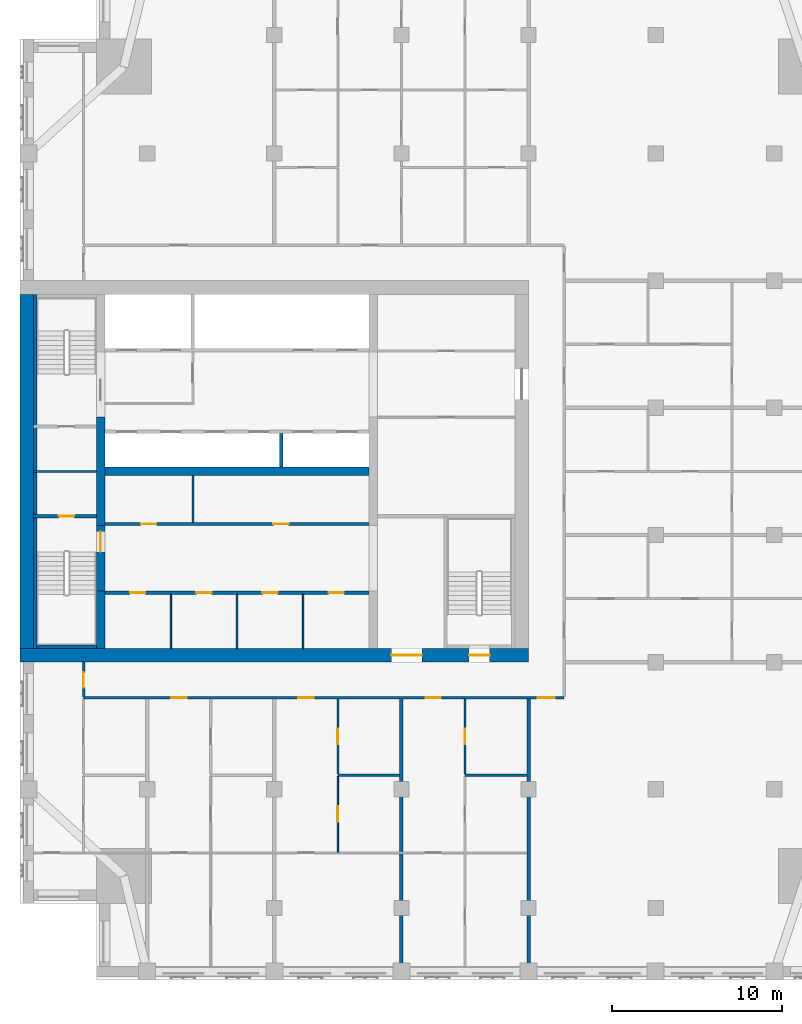
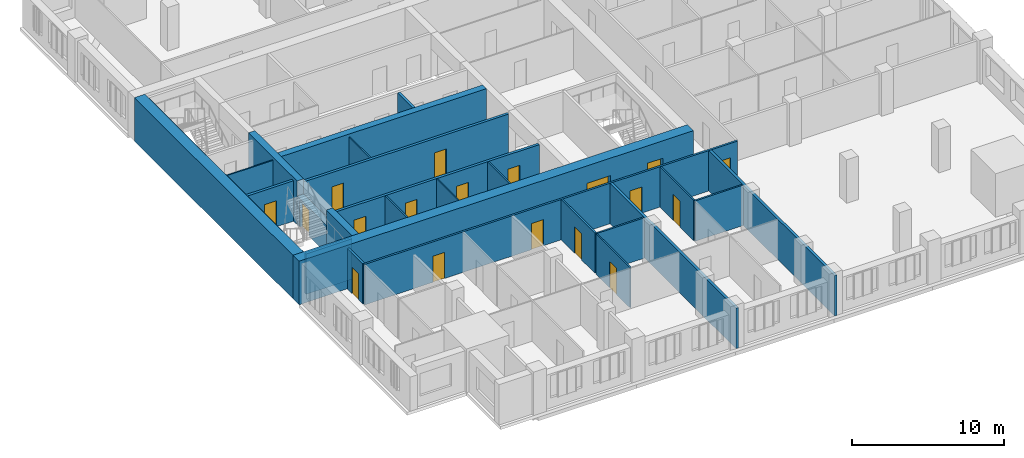
# One storey, part 7 of 14: 26 walls, 18 doors, 18 openings.
"""IFC4 building model written with IfcOpenShell, lengths in metres."""

from ifc_helpers import new_model, si_unit, direction, frame, frame_2d, origin, place, context, subcontext, project, spatial, rectangle, extrude, material, layer, layer_set, type_object, element, fill, save


model = new_model("IFC4")

# Units and contexts
model_context = context("Model", 3, precision=1e-05, world=origin(), true_north=direction((0.0, 1.0)))
body_context = subcontext(model_context, "Body", "Model", "MODEL_VIEW")
ifc_project = project(units=[si_unit("LENGTHUNIT", "METRE"), si_unit("AREAUNIT", "SQUARE_METRE"), si_unit("VOLUMEUNIT", "CUBIC_METRE"), si_unit("PLANEANGLEUNIT", "RADIAN"), si_unit("MASSUNIT", "GRAM", prefix="KILO")], contexts=[model_context])

# Site, building, storey
site_placement = place(None, origin())
site = spatial("IfcSite", under=ifc_project, at=site_placement, CompositionType="ELEMENT")
building_placement = place(site_placement, origin())
building = spatial("IfcBuilding", under=site, at=building_placement, Name="Tamorin Gate", CompositionType="ELEMENT")
storey_placement = place(building_placement, frame((0.0, 0.0, 200.199951171875)))
storey = spatial("IfcBuildingStorey", under=building, at=storey_placement, Name="L49", CompositionType="ELEMENT", Elevation=200.199951171875)

# Wall, openings, doors
ifc_material_1 = material(Name="Gypsum board partition")
ifc_layer_1 = layer(ifc_material_1, 0.14990234375)
ifc_layer_set_1 = layer_set([ifc_layer_1], Name="Corridor wall 150")
wall_type_1 = type_object("IfcWallType", Name="Corridor wall 150", PredefinedType="PARTITIONING", material=ifc_layer_set_1)
wall_1_placement = place(storey_placement, frame((33.75, 57.89990234375, 0.0), z_axis=(0.0, 0.0, 1.0), x_axis=(1.0, 0.0, 0.0)))
wall_1 = element("IfcWall", 1, at=wall_1_placement, inside=storey, type_object=wall_type_1, Name="Corridor wall 150", PredefinedType="PARTITIONING", context=body_context, shape_type="SweptSolid", body=[
    extrude(rectangle(XDim=28.35009765625, YDim=0.14990234375, at=frame_2d((14.175048828125, 0.0))), origin(), (0.0, 0.0, 1.0), 3.25),
])
opening_1_placement = place(wall_1_placement, frame((5.175048828125, 0.0, 0.0)))
opening_1 = element("IfcOpeningElement", 2, at=opening_1_placement, cuts=wall_1, Name="Opening DR3005", PredefinedType="OPENING", context=body_context, shape_type="SweptSolid", body=[
    extrude(rectangle(XDim=0.89990234375, YDim=2.10009765625, at=frame_2d((0.449951171875, 1.050048828125))), frame((0.0, 0.0849609375, 0.0), z_axis=(0.0, -1.0, 0.0), x_axis=(1.0, 0.0, 0.0)), (0.0, 0.0, 1.0), 0.169921875),
])
opening_2_placement = place(wall_1_placement, frame((12.675048828125, 0.0, 0.0)))
opening_2 = element("IfcOpeningElement", 3, at=opening_2_placement, cuts=wall_1, Name="Opening DR3010", PredefinedType="OPENING", context=body_context, shape_type="SweptSolid", body=[
    extrude(rectangle(XDim=0.89990234375, YDim=2.10009765625, at=frame_2d((0.449951171875, 1.050048828125))), frame((0.0, 0.0849609375, 0.0), z_axis=(0.0, -1.0, 0.0), x_axis=(1.0, 0.0, 0.0)), (0.0, 0.0, 1.0), 0.169921875),
])
opening_3_placement = place(wall_1_placement, frame((20.175048828125, 0.0, 0.0)))
opening_3 = element("IfcOpeningElement", 4, at=opening_3_placement, cuts=wall_1, Name="Opening DR3014", PredefinedType="OPENING", context=body_context, shape_type="SweptSolid", body=[
    extrude(rectangle(XDim=0.89990234375, YDim=2.10009765625, at=frame_2d((0.449951171875, 1.050048828125))), frame((0.0, 0.0849609375, 0.0), z_axis=(0.0, -1.0, 0.0), x_axis=(1.0, 0.0, 0.0)), (0.0, 0.0, 1.0), 0.169921875),
])
opening_4_placement = place(wall_1_placement, frame((26.800048828125, 0.0, 0.0)))
opening_4 = element("IfcOpeningElement", 5, at=opening_4_placement, cuts=wall_1, Name="Opening DR3019", PredefinedType="OPENING", context=body_context, shape_type="SweptSolid", body=[
    extrude(rectangle(XDim=1.0, YDim=2.10009765625, at=frame_2d((0.5, 1.050048828125))), frame((0.0, 0.0849609375, 0.0), z_axis=(0.0, -1.0, 0.0), x_axis=(1.0, 0.0, 0.0)), (0.0, 0.0, 1.0), 0.169921875),
])
ifc_material_2 = material(Name="Timber door leaf", Category="wood")
door_type_1 = type_object("IfcDoorType", Name="Door 1000 x 2100 FD30S", OperationType="NOTDEFINED", PredefinedType="DOOR", material=ifc_material_2)
door_1_placement = place(opening_4_placement, origin())
door_1 = element("IfcDoor", 6, at=door_1_placement, inside=storey, type_object=door_type_1, Name="Door DR3019", OperationType="SINGLE_SWING_RIGHT", OverallHeight=2.10009765625, OverallWidth=1.0, PredefinedType="DOOR", context=body_context, shape_type="SweptSolid", body=[
    extrude(rectangle(XDim=1.0, YDim=2.10009765625, at=frame_2d((0.5, 1.050048828125))), frame((0.0, 0.02490234375, 0.0), z_axis=(0.0, -1.0, 0.0), x_axis=(1.0, 0.0, 0.0)), (0.0, 0.0, 1.0), 0.050048828125),
])
fill(opening_4, door_1)
door_type_2 = type_object("IfcDoorType", Name="Door 900 x 2100 FD30S", OperationType="NOTDEFINED", PredefinedType="DOOR", material=ifc_material_2)
door_2_placement = place(opening_1_placement, origin())
door_2 = element("IfcDoor", 7, at=door_2_placement, inside=storey, type_object=door_type_2, Name="Door DR3005", OperationType="SINGLE_SWING_RIGHT", OverallHeight=2.10009765625, OverallWidth=0.89990234375, PredefinedType="DOOR", context=body_context, shape_type="SweptSolid", body=[
    extrude(rectangle(XDim=0.89990234375, YDim=2.10009765625, at=frame_2d((0.449951171875, 1.050048828125))), frame((0.0, 0.02490234375, 0.0), z_axis=(0.0, -1.0, 0.0), x_axis=(1.0, 0.0, 0.0)), (0.0, 0.0, 1.0), 0.050048828125),
])
fill(opening_1, door_2)
door_3_placement = place(opening_2_placement, origin())
door_3 = element("IfcDoor", 8, at=door_3_placement, inside=storey, type_object=door_type_2, Name="Door DR3010", OperationType="SINGLE_SWING_RIGHT", OverallHeight=2.10009765625, OverallWidth=0.89990234375, PredefinedType="DOOR", context=body_context, shape_type="SweptSolid", body=[
    extrude(rectangle(XDim=0.89990234375, YDim=2.10009765625, at=frame_2d((0.449951171875, 1.050048828125))), frame((0.0, 0.02490234375, 0.0), z_axis=(0.0, -1.0, 0.0), x_axis=(1.0, 0.0, 0.0)), (0.0, 0.0, 1.0), 0.050048828125),
])
fill(opening_2, door_3)
door_4_placement = place(opening_3_placement, origin())
door_4 = element("IfcDoor", 9, at=door_4_placement, inside=storey, type_object=door_type_2, Name="Door DR3014", OperationType="SINGLE_SWING_RIGHT", OverallHeight=2.10009765625, OverallWidth=0.89990234375, PredefinedType="DOOR", context=body_context, shape_type="SweptSolid", body=[
    extrude(rectangle(XDim=0.89990234375, YDim=2.10009765625, at=frame_2d((0.449951171875, 1.050048828125))), frame((0.0, 0.02490234375, 0.0), z_axis=(0.0, -1.0, 0.0), x_axis=(1.0, 0.0, 0.0)), (0.0, 0.0, 1.0), 0.050048828125),
])
fill(opening_3, door_4)

# Wall, opening, door
wall_2_placement = place(storey_placement, frame((33.75, 57.97509765625, 0.0), z_axis=(0.0, 0.0, 1.0), x_axis=(0.0, 1.0, 0.0)))
wall_2 = element("IfcWall", 10, at=wall_2_placement, inside=storey, type_object=wall_type_1, Name="Corridor wall 150", PredefinedType="PARTITIONING", context=body_context, shape_type="SweptSolid", body=[
    extrude(rectangle(XDim=2.02490234375, YDim=0.14990234375, at=frame_2d((1.012451171875, 0.0))), origin(), (0.0, 0.0, 1.0), 3.25),
])
opening_5_placement = place(wall_2_placement, frame((0.52490234375, 0.0, 0.0)))
opening_5 = element("IfcOpeningElement", 11, at=opening_5_placement, cuts=wall_2, Name="Opening DR3001", PredefinedType="OPENING", context=body_context, shape_type="SweptSolid", body=[
    extrude(rectangle(XDim=0.89990234375, YDim=2.10009765625, at=frame_2d((0.449951171875, 1.050048828125))), frame((0.0, 0.0849609375, 0.0), z_axis=(0.0, -1.0, 0.0), x_axis=(1.0, 0.0, 0.0)), (0.0, 0.0, 1.0), 0.169921875),
])
door_5_placement = place(opening_5_placement, origin())
door_5 = element("IfcDoor", 12, at=door_5_placement, inside=storey, type_object=door_type_2, Name="Door DR3001", OperationType="SINGLE_SWING_LEFT", OverallHeight=2.10009765625, OverallWidth=0.89990234375, PredefinedType="DOOR", context=body_context, shape_type="SweptSolid", body=[
    extrude(rectangle(XDim=0.89990234375, YDim=2.10009765625, at=frame_2d((0.449951171875, 1.050048828125))), frame((0.0, 0.02490234375, 0.0), z_axis=(0.0, -1.0, 0.0), x_axis=(1.0, 0.0, 0.0)), (0.0, 0.0, 1.0), 0.050048828125),
])
fill(opening_5, door_5)

# Walls
ifc_layer_2 = layer(ifc_material_1, 0.199951171875)
ifc_layer_set_2 = layer_set([ifc_layer_2], Name="Demising wall 200")
wall_type_2 = type_object("IfcWallType", Name="Demising wall 200", PredefinedType="PARTITIONING", material=ifc_layer_set_2)
for number, where, z_axis, x_axis, name in (
    (13, (52.5, 41.25, 0.0), (0.0, 0.0, 1.0), (0.0, 1.0, 0.0), "Demising wall 200"),
    (14, (60.0, 41.25, 0.0), (0.0, 0.0, 1.0), (0.0, 1.0, 0.0), "Demising wall 200"),
):
    element("IfcWall", number, at=place(storey_placement, frame(where, z_axis=z_axis, x_axis=x_axis)), inside=storey, type_object=wall_type_2, Name=name, PredefinedType="PARTITIONING", context=body_context, shape_type="SweptSolid", body=[
        extrude(rectangle(XDim=16.574951171875, YDim=0.199951171875, at=frame_2d((8.28759765625, 0.0))), origin(), (0.0, 0.0, 1.0), 3.25),
    ])
ifc_material_3 = material(Name="Concrete C32/40", Category="concrete")
ifc_layer_3 = layer(ifc_material_3, 0.199951171875)
ifc_layer_set_3 = layer_set([ifc_layer_3], Name="Lift shaft wall 200 EI 120")
wall_type_3 = type_object("IfcWallType", Name="Lift shaft wall 200 EI 120", PredefinedType="SOLIDWALL", material=ifc_layer_set_3)
wall_3_placement = place(storey_placement, frame((45.39990234375, 71.5, 0.0), z_axis=(0.0, 0.0, 1.0), x_axis=(0.0, 1.0, 0.0)))
element("IfcWall", 15, at=wall_3_placement, inside=storey, type_object=wall_type_3, Name="Lift shaft wall", PredefinedType="SOLIDWALL", context=body_context, shape_type="SweptSolid", body=[
    extrude(rectangle(XDim=2.0, YDim=0.199951171875, at=frame_2d((1.0, 0.0))), origin(), (0.0, 0.0, 1.0), 3.5),
])
ifc_material_4 = material(Name="Concrete C60/75", Category="concrete")
ifc_layer_4 = layer(ifc_material_4, 0.5)
ifc_layer_set_4 = layer_set([ifc_layer_4], Name="RC core internal wall 500 C60/75")
wall_type_4 = type_object("IfcWallType", Name="RC core internal wall 500 C60/75", PredefinedType="SHEAR", material=ifc_layer_set_4)
wall_4_placement = place(storey_placement, frame((35.0, 71.25, 0.0), z_axis=(0.0, 0.0, 1.0), x_axis=(1.0, 0.0, 0.0)))
element("IfcWall", 16, at=wall_4_placement, inside=storey, type_object=wall_type_4, Name="Core spine wall L49", PredefinedType="SHEAR", context=body_context, shape_type="SweptSolid", body=[
    extrude(rectangle(XDim=15.60009765625, YDim=0.5, at=frame_2d((7.800048828125, 0.0))), origin(), (0.0, 0.0, 1.0), 3.5),
])
wall_5_placement = place(storey_placement, frame((34.75, 60.800048828125, 0.0), z_axis=(0.0, 0.0, 1.0), x_axis=(0.0, 1.0, 0.0)))
element("IfcWall", 17, at=wall_5_placement, inside=storey, type_object=wall_type_4, Name="Core cross wall L49", PredefinedType="SHEAR", context=body_context, shape_type="SweptSolid", body=[
    extrude(rectangle(XDim=3.39990234375, YDim=0.5, at=frame_2d((1.699951171875, 0.0))), origin(), (0.0, 0.0, 1.0), 3.5),
])
wall_6_placement = place(storey_placement, frame((34.75, 68.050048828125, 0.0), z_axis=(0.0, 0.0, 1.0), x_axis=(0.0, 1.0, 0.0)))
element("IfcWall", 18, at=wall_6_placement, inside=storey, type_object=wall_type_4, Name="Core cross wall L49", PredefinedType="SHEAR", context=body_context, shape_type="SweptSolid", body=[
    extrude(rectangle(XDim=6.39990234375, YDim=0.5, at=frame_2d((3.199951171875, 0.0))), origin(), (0.0, 0.0, 1.0), 3.5),
])

# Wall, openings, doors
ifc_layer_5 = layer(ifc_material_4, 0.800048828125)
ifc_layer_set_5 = layer_set([ifc_layer_5], Name="RC core wall 800 C60/75")
wall_type_5 = type_object("IfcWallType", Name="RC core wall 800 C60/75", PredefinedType="SHEAR", material=ifc_layer_set_5)
wall_7_placement = place(storey_placement, frame((30.0, 60.39990234375, 0.0), z_axis=(0.0, 0.0, 1.0), x_axis=(1.0, 0.0, 0.0)))
wall_7 = element("IfcWall", 19, at=wall_7_placement, inside=storey, type_object=wall_type_5, Name="Core wall L49", PredefinedType="SHEAR", context=body_context, shape_type="SweptSolid", body=[
    extrude(rectangle(XDim=30.0, YDim=0.800048828125, at=frame_2d((15.0, 0.0))), origin(), (0.0, 0.0, 1.0), 3.5),
])
opening_6_placement = place(wall_7_placement, frame((21.89990234375, 0.0, 0.0)))
opening_6 = element("IfcOpeningElement", 20, at=opening_6_placement, cuts=wall_7, Name="Opening DE1", PredefinedType="OPENING", context=body_context, shape_type="SweptSolid", body=[
    extrude(rectangle(XDim=1.800048828125, YDim=2.10009765625, at=frame_2d((0.89990234375, 1.050048828125))), frame((0.0, 0.409912109375, 0.0), z_axis=(0.0, -1.0, 0.0), x_axis=(1.0, 0.0, 0.0)), (0.0, 0.0, 1.0), 0.820068359375),
])
opening_7_placement = place(wall_7_placement, frame((26.5, 0.0, 0.0)))
opening_7 = element("IfcOpeningElement", 21, at=opening_7_placement, cuts=wall_7, Name="Opening DS1", PredefinedType="OPENING", context=body_context, shape_type="SweptSolid", body=[
    extrude(rectangle(XDim=1.199951171875, YDim=2.10009765625, at=frame_2d((0.60009765625, 1.050048828125))), frame((0.0, 0.409912109375, 0.0), z_axis=(0.0, -1.0, 0.0), x_axis=(1.0, 0.0, 0.0)), (0.0, 0.0, 1.0), 0.820068359375),
])
ifc_material_5 = material(Name="Steel fire door", Category="steel")
door_type_3 = type_object("IfcDoorType", Name="Lobby exit double door 1800 x 2100 EI 60", OperationType="DOUBLE_DOOR_SINGLE_SWING", PredefinedType="DOOR", material=ifc_material_5)
door_6_placement = place(opening_6_placement, origin())
door_6 = element("IfcDoor", 22, at=door_6_placement, inside=storey, type_object=door_type_3, Name="Lift lobby A exit door", OperationType="DOUBLE_DOOR_SINGLE_SWING", OverallHeight=2.10009765625, OverallWidth=1.800048828125, PredefinedType="DOOR", context=body_context, shape_type="SweptSolid", body=[
    extrude(rectangle(XDim=1.800048828125, YDim=2.10009765625, at=frame_2d((0.89990234375, 1.050048828125))), frame((0.0, 0.02490234375, 0.0), z_axis=(0.0, -1.0, 0.0), x_axis=(1.0, 0.0, 0.0)), (0.0, 0.0, 1.0), 0.050048828125),
])
fill(opening_6, door_6)
door_type_4 = type_object("IfcDoorType", Name="Stair door 1200 x 2100 EI 90", OperationType="SINGLE_SWING_LEFT", PredefinedType="DOOR", material=ifc_material_5)
door_7_placement = place(opening_7_placement, origin())
door_7 = element("IfcDoor", 23, at=door_7_placement, inside=storey, type_object=door_type_4, Name="ST3 door", OperationType="SINGLE_SWING_LEFT", OverallHeight=2.10009765625, OverallWidth=1.199951171875, PredefinedType="DOOR", context=body_context, shape_type="SweptSolid", body=[
    extrude(rectangle(XDim=1.199951171875, YDim=2.10009765625, at=frame_2d((0.60009765625, 1.050048828125))), frame((0.0, 0.02490234375, 0.0), z_axis=(0.0, -1.0, 0.0), x_axis=(1.0, 0.0, 0.0)), (0.0, 0.0, 1.0), 0.050048828125),
])
fill(opening_7, door_7)

# Walls
wall_8_placement = place(storey_placement, frame((30.39990234375, 60.800048828125, 0.0), z_axis=(0.0, 0.0, 1.0), x_axis=(0.0, 1.0, 0.0)))
element("IfcWall", 24, at=wall_8_placement, inside=storey, type_object=wall_type_5, Name="Core wall L49", PredefinedType="SHEAR", context=body_context, shape_type="SweptSolid", body=[
    extrude(rectangle(XDim=20.89990234375, YDim=0.800048828125, at=frame_2d((10.449951171875, 0.0))), origin(), (0.0, 0.0, 1.0), 3.5),
])
ifc_material_6 = material(Name="Fire-rated gypsum board partition")
ifc_layer_6 = layer(ifc_material_6, 0.10009765625)
ifc_layer_set_6 = layer_set([ifc_layer_6], Name="Riser partition 100 EI 120")
wall_type_6 = type_object("IfcWallType", Name="Riser partition 100 EI 120", PredefinedType="PARTITIONING", material=ifc_layer_set_6)
wall_9_placement = place(storey_placement, frame((30.800048828125, 71.25, 0.0), z_axis=(0.0, 0.0, 1.0), x_axis=(1.0, 0.0, 0.0)))
element("IfcWall", 25, at=wall_9_placement, inside=storey, type_object=wall_type_6, Name="Riser partition", PredefinedType="PARTITIONING", context=body_context, shape_type="SweptSolid", body=[
    extrude(rectangle(XDim=3.699951171875, YDim=0.10009765625, at=frame_2d((1.85009765625, 0.0))), origin(), (0.0, 0.0, 1.0), 3.25),
])

# Wall, opening, door
ifc_layer_7 = layer(ifc_material_1, 0.10009765625)
ifc_layer_set_7 = layer_set([ifc_layer_7], Name="Room partition 100")
wall_type_7 = type_object("IfcWallType", Name="Room partition 100", PredefinedType="PARTITIONING", material=ifc_layer_set_7)
wall_10_placement = place(storey_placement, frame((48.75, 48.800048828125, 0.0), z_axis=(0.0, 0.0, 1.0), x_axis=(0.0, 1.0, 0.0)))
wall_10 = element("IfcWall", 26, at=wall_10_placement, inside=storey, type_object=wall_type_7, Name="Room partition 100", PredefinedType="PARTITIONING", context=body_context, shape_type="SweptSolid", body=[
    extrude(rectangle(XDim=4.46240234375, YDim=0.10009765625, at=frame_2d((2.231201171875, 0.0))), origin(), (0.0, 0.0, 1.0), 3.25),
])
opening_8_placement = place(wall_10_placement, frame((1.78759765625, 0.0, 0.0)))
opening_8 = element("IfcOpeningElement", 27, at=opening_8_placement, cuts=wall_10, Name="Opening DR3012", PredefinedType="OPENING", context=body_context, shape_type="SweptSolid", body=[
    extrude(rectangle(XDim=0.89990234375, YDim=2.10009765625, at=frame_2d((0.449951171875, 1.050048828125))), frame((0.0, 0.06005859375, 0.0), z_axis=(0.0, -1.0, 0.0), x_axis=(1.0, 0.0, 0.0)), (0.0, 0.0, 1.0), 0.1201171875),
])
door_type_5 = type_object("IfcDoorType", Name="Door 900 x 2100", OperationType="NOTDEFINED", PredefinedType="DOOR", material=ifc_material_2)
door_8_placement = place(opening_8_placement, origin())
door_8 = element("IfcDoor", 28, at=door_8_placement, inside=storey, type_object=door_type_5, Name="Door DR3012", OperationType="SINGLE_SWING_RIGHT", OverallHeight=2.10009765625, OverallWidth=0.89990234375, PredefinedType="DOOR", context=body_context, shape_type="SweptSolid", body=[
    extrude(rectangle(XDim=0.89990234375, YDim=2.10009765625, at=frame_2d((0.449951171875, 1.050048828125))), frame((0.0, 0.02490234375, 0.0), z_axis=(0.0, -1.0, 0.0), x_axis=(1.0, 0.0, 0.0)), (0.0, 0.0, 1.0), 0.050048828125),
])
fill(opening_8, door_8)

# Wall, openings, doors
ifc_layer_8 = layer(ifc_material_1, 0.199951171875)
ifc_layer_set_8 = layer_set([ifc_layer_8], Name="Service room face wall 200 EI 60")
wall_type_8 = type_object("IfcWallType", Name="Service room face wall 200 EI 60", PredefinedType="PARTITIONING", material=ifc_layer_set_8)
wall_11_placement = place(storey_placement, frame((35.0, 64.10009765625, 0.0), z_axis=(0.0, 0.0, 1.0), x_axis=(1.0, 0.0, 0.0)))
wall_11 = element("IfcWall", 29, at=wall_11_placement, inside=storey, type_object=wall_type_8, Name="Service room face wall", PredefinedType="PARTITIONING", context=body_context, shape_type="SweptSolid", body=[
    extrude(rectangle(XDim=15.60009765625, YDim=0.199951171875, at=frame_2d((7.800048828125, 0.0))), origin(), (0.0, 0.0, 1.0), 3.25),
])
opening_9_placement = place(wall_11_placement, frame((1.5, 0.0, 0.0)))
opening_9 = element("IfcOpeningElement", 30, at=opening_9_placement, cuts=wall_11, Name="Opening DK1", PredefinedType="OPENING", context=body_context, shape_type="SweptSolid", body=[
    extrude(rectangle(XDim=0.89990234375, YDim=2.10009765625, at=frame_2d((0.449951171875, 1.050048828125))), frame((0.0, 0.10986328125, 0.0), z_axis=(0.0, -1.0, 0.0), x_axis=(1.0, 0.0, 0.0)), (0.0, 0.0, 1.0), 0.219970703125),
])
opening_10_placement = place(wall_11_placement, frame((5.39990234375, 0.0, 0.0)))
opening_10 = element("IfcOpeningElement", 31, at=opening_10_placement, cuts=wall_11, Name="Opening DK1", PredefinedType="OPENING", context=body_context, shape_type="SweptSolid", body=[
    extrude(rectangle(XDim=0.89990234375, YDim=2.10009765625, at=frame_2d((0.449951171875, 1.050048828125))), frame((0.0, 0.10986328125, 0.0), z_axis=(0.0, -1.0, 0.0), x_axis=(1.0, 0.0, 0.0)), (0.0, 0.0, 1.0), 0.219970703125),
])
opening_11_placement = place(wall_11_placement, frame((9.300048828125, 0.0, 0.0)))
opening_11 = element("IfcOpeningElement", 32, at=opening_11_placement, cuts=wall_11, Name="Opening DK1", PredefinedType="OPENING", context=body_context, shape_type="SweptSolid", body=[
    extrude(rectangle(XDim=0.89990234375, YDim=2.10009765625, at=frame_2d((0.449951171875, 1.050048828125))), frame((0.0, 0.10986328125, 0.0), z_axis=(0.0, -1.0, 0.0), x_axis=(1.0, 0.0, 0.0)), (0.0, 0.0, 1.0), 0.219970703125),
])
opening_12_placement = place(wall_11_placement, frame((13.199951171875, 0.0, 0.0)))
opening_12 = element("IfcOpeningElement", 33, at=opening_12_placement, cuts=wall_11, Name="Opening DK1", PredefinedType="OPENING", context=body_context, shape_type="SweptSolid", body=[
    extrude(rectangle(XDim=0.89990234375, YDim=2.10009765625, at=frame_2d((0.449951171875, 1.050048828125))), frame((0.0, 0.10986328125, 0.0), z_axis=(0.0, -1.0, 0.0), x_axis=(1.0, 0.0, 0.0)), (0.0, 0.0, 1.0), 0.219970703125),
])
ifc_material_7 = material(Name="Timber fire door", Category="wood")
door_type_6 = type_object("IfcDoorType", Name="Service room door 900 x 2100 EI 60", OperationType="SINGLE_SWING_LEFT", PredefinedType="DOOR", material=ifc_material_7)
door_9_placement = place(opening_9_placement, origin())
door_9 = element("IfcDoor", 34, at=door_9_placement, inside=storey, type_object=door_type_6, Name="Door Linen store", OperationType="SINGLE_SWING_LEFT", OverallHeight=2.10009765625, OverallWidth=0.89990234375, PredefinedType="DOOR", context=body_context, shape_type="SweptSolid", body=[
    extrude(rectangle(XDim=0.89990234375, YDim=2.10009765625, at=frame_2d((0.449951171875, 1.050048828125))), frame((0.0, 0.02490234375, 0.0), z_axis=(0.0, -1.0, 0.0), x_axis=(1.0, 0.0, 0.0)), (0.0, 0.0, 1.0), 0.050048828125),
])
fill(opening_9, door_9)
door_10_placement = place(opening_10_placement, origin())
door_10 = element("IfcDoor", 35, at=door_10_placement, inside=storey, type_object=door_type_6, Name="Door Cleaner's store", OperationType="SINGLE_SWING_RIGHT", OverallHeight=2.10009765625, OverallWidth=0.89990234375, PredefinedType="DOOR", context=body_context, shape_type="SweptSolid", body=[
    extrude(rectangle(XDim=0.89990234375, YDim=2.10009765625, at=frame_2d((0.449951171875, 1.050048828125))), frame((0.0, 0.02490234375, 0.0), z_axis=(0.0, -1.0, 0.0), x_axis=(1.0, 0.0, 0.0)), (0.0, 0.0, 1.0), 0.050048828125),
])
fill(opening_10, door_10)
door_11_placement = place(opening_11_placement, origin())
door_11 = element("IfcDoor", 36, at=door_11_placement, inside=storey, type_object=door_type_6, Name="Door Pantry", OperationType="SINGLE_SWING_LEFT", OverallHeight=2.10009765625, OverallWidth=0.89990234375, PredefinedType="DOOR", context=body_context, shape_type="SweptSolid", body=[
    extrude(rectangle(XDim=0.89990234375, YDim=2.10009765625, at=frame_2d((0.449951171875, 1.050048828125))), frame((0.0, 0.02490234375, 0.0), z_axis=(0.0, -1.0, 0.0), x_axis=(1.0, 0.0, 0.0)), (0.0, 0.0, 1.0), 0.050048828125),
])
fill(opening_11, door_11)
door_12_placement = place(opening_12_placement, origin())
door_12 = element("IfcDoor", 37, at=door_12_placement, inside=storey, type_object=door_type_6, Name="Door Refuse and recycling room", OperationType="SINGLE_SWING_RIGHT", OverallHeight=2.10009765625, OverallWidth=0.89990234375, PredefinedType="DOOR", context=body_context, shape_type="SweptSolid", body=[
    extrude(rectangle(XDim=0.89990234375, YDim=2.10009765625, at=frame_2d((0.449951171875, 1.050048828125))), frame((0.0, 0.02490234375, 0.0), z_axis=(0.0, -1.0, 0.0), x_axis=(1.0, 0.0, 0.0)), (0.0, 0.0, 1.0), 0.050048828125),
])
fill(opening_12, door_12)

wall_12_placement = place(storey_placement, frame((35.0, 68.14990234375, 0.0), z_axis=(0.0, 0.0, 1.0), x_axis=(1.0, 0.0, 0.0)))
wall_12 = element("IfcWall", 38, at=wall_12_placement, inside=storey, type_object=wall_type_8, Name="Service room face wall", PredefinedType="PARTITIONING", context=body_context, shape_type="SweptSolid", body=[
    extrude(rectangle(XDim=15.60009765625, YDim=0.199951171875, at=frame_2d((7.800048828125, 0.0))), origin(), (0.0, 0.0, 1.0), 3.25),
])
opening_13_placement = place(wall_12_placement, frame((2.14990234375, 0.0, 0.0)))
opening_13 = element("IfcOpeningElement", 39, at=opening_13_placement, cuts=wall_12, Name="Opening DK1", PredefinedType="OPENING", context=body_context, shape_type="SweptSolid", body=[
    extrude(rectangle(XDim=0.89990234375, YDim=2.10009765625, at=frame_2d((0.449951171875, 1.050048828125))), frame((0.0, 0.10986328125, 0.0), z_axis=(0.0, -1.0, 0.0), x_axis=(1.0, 0.0, 0.0)), (0.0, 0.0, 1.0), 0.219970703125),
])
opening_14_placement = place(wall_12_placement, frame((9.949951171875, 0.0, 0.0)))
opening_14 = element("IfcOpeningElement", 40, at=opening_14_placement, cuts=wall_12, Name="Opening DK1", PredefinedType="OPENING", context=body_context, shape_type="SweptSolid", body=[
    extrude(rectangle(XDim=0.89990234375, YDim=2.10009765625, at=frame_2d((0.449951171875, 1.050048828125))), frame((0.0, 0.10986328125, 0.0), z_axis=(0.0, -1.0, 0.0), x_axis=(1.0, 0.0, 0.0)), (0.0, 0.0, 1.0), 0.219970703125),
])
door_13_placement = place(opening_13_placement, origin())
door_13 = element("IfcDoor", 41, at=door_13_placement, inside=storey, type_object=door_type_6, Name="Door Linen store", OperationType="SINGLE_SWING_LEFT", OverallHeight=2.10009765625, OverallWidth=0.89990234375, PredefinedType="DOOR", context=body_context, shape_type="SweptSolid", body=[
    extrude(rectangle(XDim=0.89990234375, YDim=2.10009765625, at=frame_2d((0.449951171875, 1.050048828125))), frame((0.0, 0.02490234375, 0.0), z_axis=(0.0, -1.0, 0.0), x_axis=(1.0, 0.0, 0.0)), (0.0, 0.0, 1.0), 0.050048828125),
])
fill(opening_13, door_13)
door_14_placement = place(opening_14_placement, origin())
door_14 = element("IfcDoor", 42, at=door_14_placement, inside=storey, type_object=door_type_6, Name="Door Electrical and IT room", OperationType="SINGLE_SWING_RIGHT", OverallHeight=2.10009765625, OverallWidth=0.89990234375, PredefinedType="DOOR", context=body_context, shape_type="SweptSolid", body=[
    extrude(rectangle(XDim=0.89990234375, YDim=2.10009765625, at=frame_2d((0.449951171875, 1.050048828125))), frame((0.0, 0.02490234375, 0.0), z_axis=(0.0, -1.0, 0.0), x_axis=(1.0, 0.0, 0.0)), (0.0, 0.0, 1.0), 0.050048828125),
])
fill(opening_14, door_14)

# Walls
ifc_layer_9 = layer(ifc_material_1, 0.10009765625)
ifc_layer_set_9 = layer_set([ifc_layer_9], Name="Service room partition 100 EI 60")
wall_type_9 = type_object("IfcWallType", Name="Service room partition 100 EI 60", PredefinedType="PARTITIONING", material=ifc_layer_set_9)
for number, where, z_axis, x_axis, name in (
    (43, (38.89990234375, 60.800048828125, 0.0), (0.0, 0.0, 1.0), (0.0, 1.0, 0.0), "Service room partition"),
    (44, (42.800048828125, 60.800048828125, 0.0), (0.0, 0.0, 1.0), (0.0, 1.0, 0.0), "Service room partition"),
    (45, (46.699951171875, 60.800048828125, 0.0), (0.0, 0.0, 1.0), (0.0, 1.0, 0.0), "Service room partition"),
):
    element("IfcWall", number, at=place(storey_placement, frame(where, z_axis=z_axis, x_axis=x_axis)), inside=storey, type_object=wall_type_9, Name=name, PredefinedType="PARTITIONING", context=body_context, shape_type="SweptSolid", body=[
        extrude(rectangle(XDim=3.199951171875, YDim=0.10009765625, at=frame_2d((1.60009765625, 0.0))), origin(), (0.0, 0.0, 1.0), 3.25),
    ])
wall_13_placement = place(storey_placement, frame((40.199951171875, 68.25, 0.0), z_axis=(0.0, 0.0, 1.0), x_axis=(0.0, 1.0, 0.0)))
element("IfcWall", 46, at=wall_13_placement, inside=storey, type_object=wall_type_9, Name="Service room partition", PredefinedType="PARTITIONING", context=body_context, shape_type="SweptSolid", body=[
    extrude(rectangle(XDim=2.75, YDim=0.10009765625, at=frame_2d((1.375, 0.0))), origin(), (0.0, 0.0, 1.0), 3.25),
])

# Wall, opening, door
ifc_material_8 = material(Name="Concrete C40/50", Category="concrete")
ifc_layer_10 = layer(ifc_material_8, 0.199951171875)
ifc_layer_set_10 = layer_set([ifc_layer_10], Name="Stair enclosure wall 200 EI 120 C40/50")
wall_type_10 = type_object("IfcWallType", Name="Stair enclosure wall 200 EI 120 C40/50", PredefinedType="SOLIDWALL", material=ifc_layer_set_10)
wall_14_placement = place(storey_placement, frame((30.800048828125, 68.60009765625, 0.0), z_axis=(0.0, 0.0, 1.0), x_axis=(1.0, 0.0, 0.0)))
wall_14 = element("IfcWall", 47, at=wall_14_placement, inside=storey, type_object=wall_type_10, Name="Stair enclosure wall", PredefinedType="SOLIDWALL", context=body_context, shape_type="SweptSolid", body=[
    extrude(rectangle(XDim=3.699951171875, YDim=0.199951171875, at=frame_2d((1.85009765625, 0.0))), origin(), (0.0, 0.0, 1.0), 3.25),
])
opening_15_placement = place(wall_14_placement, frame((1.5, 0.0, 0.0)))
opening_15 = element("IfcOpeningElement", 48, at=opening_15_placement, cuts=wall_14, Name="Opening DR1", PredefinedType="OPENING", context=body_context, shape_type="SweptSolid", body=[
    extrude(rectangle(XDim=0.89990234375, YDim=2.10009765625, at=frame_2d((0.449951171875, 1.050048828125))), frame((0.0, 0.10986328125, 0.0), z_axis=(0.0, -1.0, 0.0), x_axis=(1.0, 0.0, 0.0)), (0.0, 0.0, 1.0), 0.219970703125),
])
door_type_7 = type_object("IfcDoorType", Name="Riser access door 900 x 2100 EI 120", OperationType="SINGLE_SWING_LEFT", PredefinedType="DOOR", material=ifc_material_5)
door_15_placement = place(opening_15_placement, origin())
door_15 = element("IfcDoor", 49, at=door_15_placement, inside=storey, type_object=door_type_7, Name="Electrical riser door", OperationType="SINGLE_SWING_LEFT", OverallHeight=2.10009765625, OverallWidth=0.89990234375, PredefinedType="DOOR", context=body_context, shape_type="SweptSolid", body=[
    extrude(rectangle(XDim=0.89990234375, YDim=2.10009765625, at=frame_2d((0.449951171875, 1.050048828125))), frame((0.0, 0.02490234375, 0.0), z_axis=(0.0, -1.0, 0.0), x_axis=(1.0, 0.0, 0.0)), (0.0, 0.0, 1.0), 0.050048828125),
])
fill(opening_15, door_15)

# Walls
ifc_layer_11 = layer(ifc_material_4, 0.199951171875)
ifc_layer_set_11 = layer_set([ifc_layer_11], Name="Stair lining wall 200 EI 120 C60/75")
wall_type_11 = type_object("IfcWallType", Name="Stair lining wall 200 EI 120 C60/75", PredefinedType="SOLIDWALL", material=ifc_layer_set_11)
wall_15_placement = place(storey_placement, frame((30.89990234375, 60.800048828125, 0.0), z_axis=(0.0, 0.0, 1.0), x_axis=(0.0, 1.0, 0.0)))
element("IfcWall", 50, at=wall_15_placement, inside=storey, type_object=wall_type_11, Name="Stair lining wall", PredefinedType="SOLIDWALL", context=body_context, shape_type="SweptSolid", body=[
    extrude(rectangle(XDim=20.89990234375, YDim=0.199951171875, at=frame_2d((10.449951171875, 0.0))), origin(), (0.0, 0.0, 1.0), 3.25),
])
wall_16_placement = place(storey_placement, frame((31.0, 60.89990234375, 0.0), z_axis=(0.0, 0.0, 1.0), x_axis=(1.0, 0.0, 0.0)))
element("IfcWall", 51, at=wall_16_placement, inside=storey, type_object=wall_type_11, Name="Stair lining wall", PredefinedType="SOLIDWALL", context=body_context, shape_type="SweptSolid", body=[
    extrude(rectangle(XDim=3.5, YDim=0.199951171875, at=frame_2d((1.75, 0.0))), origin(), (0.0, 0.0, 1.0), 3.25),
])

# Wall, opening, door
ifc_layer_12 = layer(ifc_material_3, 0.5)
ifc_layer_set_12 = layer_set([ifc_layer_12], Name="Stair lobby infill wall 500 EI 120")
wall_type_12 = type_object("IfcWallType", Name="Stair lobby infill wall 500 EI 120", PredefinedType="SOLIDWALL", material=ifc_layer_set_12)
wall_17_placement = place(storey_placement, frame((34.75, 64.199951171875, 0.0), z_axis=(0.0, 0.0, 1.0), x_axis=(0.0, 1.0, 0.0)))
wall_17 = element("IfcWall", 52, at=wall_17_placement, inside=storey, type_object=wall_type_12, Name="Stair lobby infill wall", PredefinedType="SOLIDWALL", context=body_context, shape_type="SweptSolid", body=[
    extrude(rectangle(XDim=3.85009765625, YDim=0.5, at=frame_2d((1.925048828125, 0.0))), origin(), (0.0, 0.0, 1.0), 2.300048828125),
])
opening_16_placement = place(wall_17_placement, frame((2.300048828125, 0.0, 0.0)))
opening_16 = element("IfcOpeningElement", 53, at=opening_16_placement, cuts=wall_17, Name="Opening DS1", PredefinedType="OPENING", context=body_context, shape_type="SweptSolid", body=[
    extrude(rectangle(XDim=1.199951171875, YDim=2.10009765625, at=frame_2d((0.60009765625, 1.050048828125))), frame((0.0, 0.260009765625, 0.0), z_axis=(0.0, -1.0, 0.0), x_axis=(1.0, 0.0, 0.0)), (0.0, 0.0, 1.0), 0.52001953125),
])
door_16_placement = place(opening_16_placement, origin())
door_16 = element("IfcDoor", 54, at=door_16_placement, inside=storey, type_object=door_type_4, Name="ST1 door", OperationType="SINGLE_SWING_LEFT", OverallHeight=2.10009765625, OverallWidth=1.199951171875, PredefinedType="DOOR", context=body_context, shape_type="SweptSolid", body=[
    extrude(rectangle(XDim=1.199951171875, YDim=2.10009765625, at=frame_2d((0.60009765625, 1.050048828125))), frame((0.0, 0.02490234375, 0.0), z_axis=(0.0, -1.0, 0.0), x_axis=(1.0, 0.0, 0.0)), (0.0, 0.0, 1.0), 0.050048828125),
])
fill(opening_16, door_16)

# Walls
ifc_layer_13 = layer(ifc_material_1, 0.125)
ifc_layer_set_13 = layer_set([ifc_layer_13], Name="Wet wall 125")
wall_type_13 = type_object("IfcWallType", Name="Wet wall 125", PredefinedType="PARTITIONING", material=ifc_layer_set_13)
for number, where, z_axis, x_axis, name in (
    (55, (48.75, 53.324951171875, 0.0), (0.0, 0.0, 1.0), (1.0, 0.0, 0.0), "Wet wall 125"),
    (56, (56.25, 53.324951171875, 0.0), (0.0, 0.0, 1.0), (1.0, 0.0, 0.0), "Wet wall 125"),
):
    element("IfcWall", number, at=place(storey_placement, frame(where, z_axis=z_axis, x_axis=x_axis)), inside=storey, type_object=wall_type_13, Name=name, PredefinedType="PARTITIONING", context=body_context, shape_type="SweptSolid", body=[
        extrude(rectangle(XDim=3.64990234375, YDim=0.125, at=frame_2d((1.824951171875, 0.0))), origin(), (0.0, 0.0, 1.0), 3.25),
    ])

# Wall, opening, door
wall_18_placement = place(storey_placement, frame((48.75, 53.387451171875, 0.0), z_axis=(0.0, 0.0, 1.0), x_axis=(0.0, 1.0, 0.0)))
wall_18 = element("IfcWall", 57, at=wall_18_placement, inside=storey, type_object=wall_type_13, Name="Wet wall 125", PredefinedType="PARTITIONING", context=body_context, shape_type="SweptSolid", body=[
    extrude(rectangle(XDim=4.4375, YDim=0.125, at=frame_2d((2.21875, 0.0))), origin(), (0.0, 0.0, 1.0), 3.25),
])
opening_17_placement = place(wall_18_placement, frame((1.77490234375, 0.0, 0.0)))
opening_17 = element("IfcOpeningElement", 58, at=opening_17_placement, cuts=wall_18, Name="Opening DR3013", PredefinedType="OPENING", context=body_context, shape_type="SweptSolid", body=[
    extrude(rectangle(XDim=0.89990234375, YDim=2.10009765625, at=frame_2d((0.449951171875, 1.050048828125))), frame((0.0, 0.072509765625, 0.0), z_axis=(0.0, -1.0, 0.0), x_axis=(1.0, 0.0, 0.0)), (0.0, 0.0, 1.0), 0.14501953125),
])
door_17_placement = place(opening_17_placement, origin())
door_17 = element("IfcDoor", 59, at=door_17_placement, inside=storey, type_object=door_type_5, Name="Door DR3013", OperationType="SINGLE_SWING_RIGHT", OverallHeight=2.10009765625, OverallWidth=0.89990234375, PredefinedType="DOOR", context=body_context, shape_type="SweptSolid", body=[
    extrude(rectangle(XDim=0.89990234375, YDim=2.10009765625, at=frame_2d((0.449951171875, 1.050048828125))), frame((0.0, 0.02490234375, 0.0), z_axis=(0.0, -1.0, 0.0), x_axis=(1.0, 0.0, 0.0)), (0.0, 0.0, 1.0), 0.050048828125),
])
fill(opening_17, door_17)

wall_19_placement = place(storey_placement, frame((56.25, 53.387451171875, 0.0), z_axis=(0.0, 0.0, 1.0), x_axis=(0.0, 1.0, 0.0)))
wall_19 = element("IfcWall", 60, at=wall_19_placement, inside=storey, type_object=wall_type_13, Name="Wet wall 125", PredefinedType="PARTITIONING", context=body_context, shape_type="SweptSolid", body=[
    extrude(rectangle(XDim=4.4375, YDim=0.125, at=frame_2d((2.21875, 0.0))), origin(), (0.0, 0.0, 1.0), 3.25),
])
opening_18_placement = place(wall_19_placement, frame((1.77490234375, 0.0, 0.0)))
opening_18 = element("IfcOpeningElement", 61, at=opening_18_placement, cuts=wall_19, Name="Opening DR3017", PredefinedType="OPENING", context=body_context, shape_type="SweptSolid", body=[
    extrude(rectangle(XDim=0.89990234375, YDim=2.10009765625, at=frame_2d((0.449951171875, 1.050048828125))), frame((0.0, 0.072509765625, 0.0), z_axis=(0.0, -1.0, 0.0), x_axis=(1.0, 0.0, 0.0)), (0.0, 0.0, 1.0), 0.14501953125),
])
door_18_placement = place(opening_18_placement, origin())
door_18 = element("IfcDoor", 62, at=door_18_placement, inside=storey, type_object=door_type_5, Name="Door DR3017", OperationType="SINGLE_SWING_RIGHT", OverallHeight=2.10009765625, OverallWidth=0.89990234375, PredefinedType="DOOR", context=body_context, shape_type="SweptSolid", body=[
    extrude(rectangle(XDim=0.89990234375, YDim=2.10009765625, at=frame_2d((0.449951171875, 1.050048828125))), frame((0.0, 0.02490234375, 0.0), z_axis=(0.0, -1.0, 0.0), x_axis=(1.0, 0.0, 0.0)), (0.0, 0.0, 1.0), 0.050048828125),
])
fill(opening_18, door_18)

save(model, "model.ifc")
